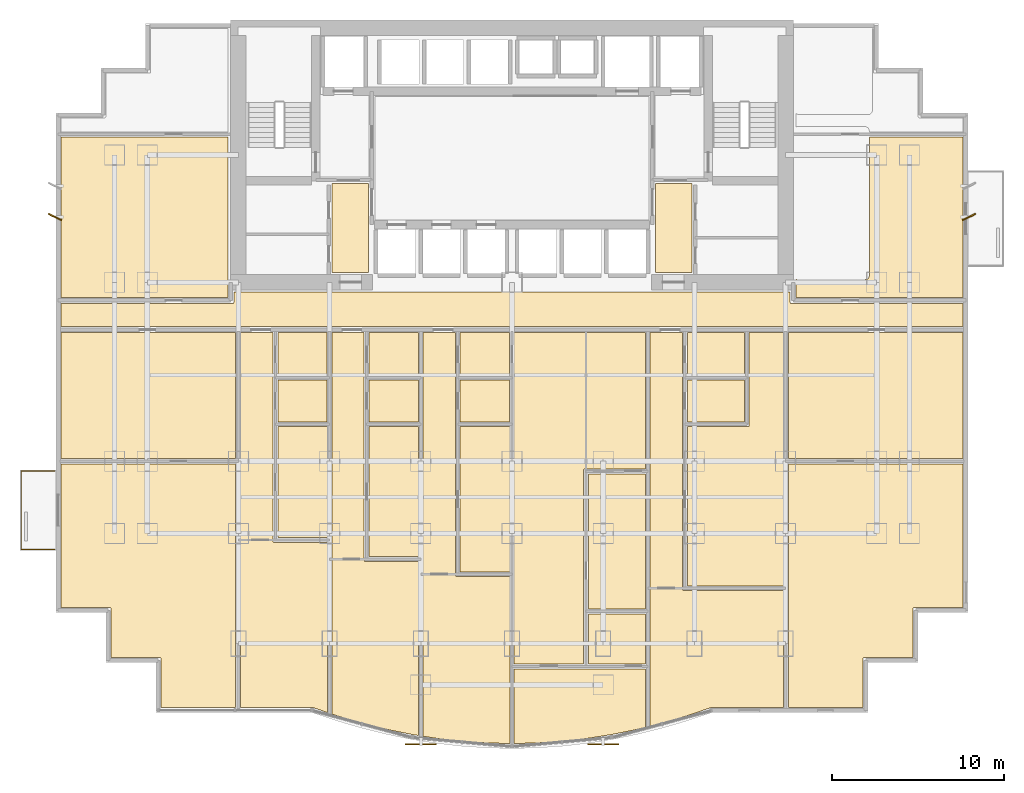
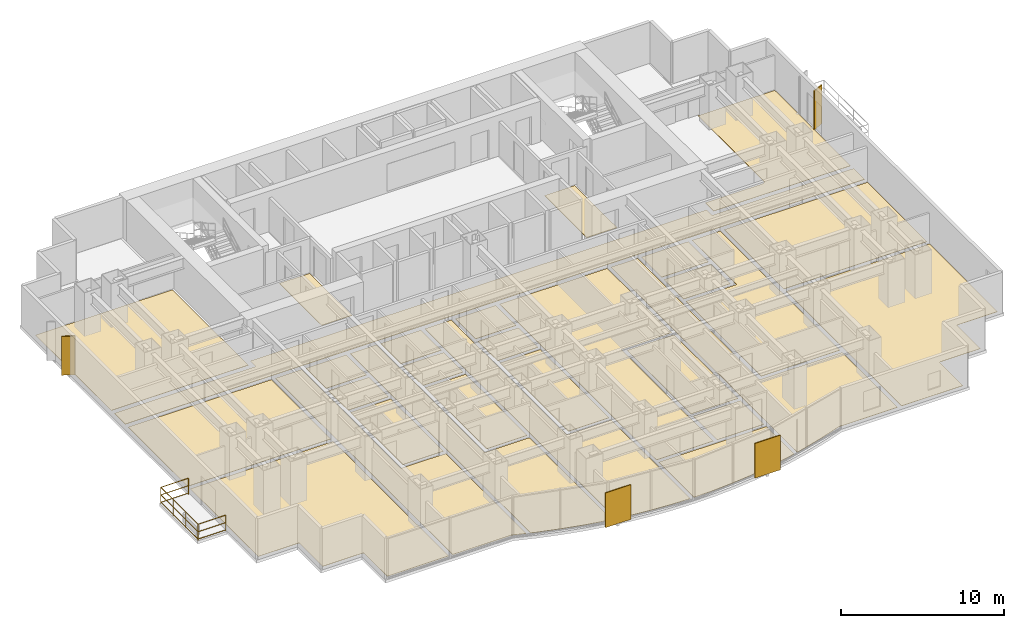
# One storey, part 9 of 10: 29 coverings, 4 shading devices, 1 railing.
"""IFC4 building model written with IfcOpenShell, lengths in metres."""

from ifc_helpers import new_model, si_unit, direction, frame, origin, origin_2d, place, context, subcontext, project, spatial, polyline, rectangle, circle, outline, extrude, source, transform, mapped, material, layer, layer_set, type_object, element, save


model = new_model("IFC4")

# Units and contexts
model_context = context("Model", 3, precision=1e-05, world=origin(), true_north=direction((0.0, 1.0)))
body_context = subcontext(model_context, "Body", "Model", "MODEL_VIEW")
ifc_project = project(units=[si_unit("LENGTHUNIT", "METRE"), si_unit("AREAUNIT", "SQUARE_METRE"), si_unit("VOLUMEUNIT", "CUBIC_METRE"), si_unit("PLANEANGLEUNIT", "RADIAN"), si_unit("MASSUNIT", "GRAM", prefix="KILO")], contexts=[model_context])

# Site, building, storey
site_placement = place(None, origin())
site = spatial("IfcSite", under=ifc_project, at=site_placement, CompositionType="ELEMENT")
building_placement = place(site_placement, origin())
building = spatial("IfcBuilding", under=site, at=building_placement, Name="Qianlan Lanfeng Residences", CompositionType="ELEMENT")
storey_placement = place(building_placement, frame((0.0, 0.0, 40.699951171875)))
storey = spatial("IfcBuildingStorey", under=building, at=storey_placement, Name="L10", CompositionType="ELEMENT", Elevation=40.699951171875)

# Coverings
ifc_material_1 = material(Name="Honed Taitung Granite Stone Flooring", Category="masonry")
ifc_layer_1 = layer(ifc_material_1, 0.030029296875)
ifc_layer_set_1 = layer_set([ifc_layer_1], Name="Honed Taitung Granite Stone Flooring")
covering_type_1 = type_object("IfcCoveringType", Name="FLR-STN-30", PredefinedType="FLOORING", material=ifc_layer_set_1)
covering_1_placement = place(storey_placement, origin())
element("IfcCovering", 1, at=covering_1_placement, inside=storey, type_object=covering_type_1, Name="L10 Residential Corridor Floor Finish", PredefinedType="FLOORING", context=body_context, shape_type="SweptSolid", body=[
    extrude(outline(polyline([(0.2900390625, 22.6298828125), (52.7099609375, 22.6298828125), (52.7099609375, 23.969970703125), (42.739990234375, 23.969970703125), (42.73291015625, 23.969970703125), (42.72607421875, 23.970947265625), (42.719970703125, 23.972900390625), (42.712890625, 23.97509765625), (42.70703125, 23.97802734375), (42.700927734375, 23.98193359375), (42.696044921875, 23.986083984375), (42.69091796875, 23.990966796875), (42.68603515625, 23.99609375), (42.681884765625, 24.0009765625), (42.677978515625, 24.007080078125), (42.675048828125, 24.012939453125), (42.673095703125, 24.02001953125), (42.6708984375, 24.02587890625), (42.669921875, 24.032958984375), (42.669921875, 24.0400390625), (42.669921875, 24.64990234375), (10.330078125, 24.64990234375), (10.330078125, 24.0400390625), (10.330078125, 24.032958984375), (10.3291015625, 24.02587890625), (10.326904296875, 24.02001953125), (10.324951171875, 24.012939453125), (10.322021484375, 24.007080078125), (10.318115234375, 24.0009765625), (10.31396484375, 23.99609375), (10.30908203125, 23.990966796875), (10.303955078125, 23.986083984375), (10.299072265625, 23.98193359375), (10.29296875, 23.97802734375), (10.287109375, 23.97509765625), (10.280029296875, 23.972900390625), (10.27392578125, 23.970947265625), (10.26708984375, 23.969970703125), (10.260009765625, 23.969970703125), (0.2900390625, 23.969970703125), (0.2900390625, 22.6298828125)])), origin(), (0.0, 0.0, 1.0), 0.030029296875),
])
covering_2_placement = place(storey_placement, origin())
element("IfcCovering", 2, at=covering_2_placement, inside=storey, type_object=covering_type_1, Name="L10 Lift Lobby Floor Finish", PredefinedType="FLOORING", context=body_context, shape_type="SweptSolid", body=[
    extrude(outline(polyline([(16.030029296875, 25.760009765625), (18.169921875, 25.760009765625), (18.169921875, 30.949951171875), (16.030029296875, 30.949951171875), (16.030029296875, 25.760009765625)])), origin(), (0.0, 0.0, 1.0), 0.030029296875),
])
covering_3_placement = place(storey_placement, origin())
element("IfcCovering", 3, at=covering_3_placement, inside=storey, type_object=covering_type_1, Name="L10 Lift Lobby Floor Finish", PredefinedType="FLOORING", context=body_context, shape_type="SweptSolid", body=[
    extrude(outline(polyline([(34.830078125, 25.760009765625), (36.969970703125, 25.760009765625), (36.969970703125, 30.949951171875), (34.830078125, 30.949951171875), (34.830078125, 25.760009765625)])), origin(), (0.0, 0.0, 1.0), 0.030029296875),
])
ifc_material_2 = material(Name="Slip-Resistant Porcelain Tile Flooring")
ifc_layer_2 = layer(ifc_material_2, 0.02001953125)
ifc_layer_set_2 = layer_set([ifc_layer_2], Name="Slip-Resistant Porcelain Tile Flooring")
covering_type_2 = type_object("IfcCoveringType", Name="FLR-TIL-20", PredefinedType="FLOORING", material=ifc_layer_set_2)
covering_4_placement = place(storey_placement, origin())
element("IfcCovering", 4, at=covering_4_placement, inside=storey, type_object=covering_type_2, Name="L10 Kitchen Floor Finish", PredefinedType="FLOORING", context=body_context, shape_type="SweptSolid", body=[
    extrude(outline(polyline([(12.889892578125, 17.090087890625), (15.760009765625, 17.090087890625), (15.760009765625, 19.510009765625), (12.889892578125, 19.510009765625), (12.889892578125, 17.090087890625)])), origin(), (0.0, 0.0, 1.0), 0.02001953125),
])
covering_5_placement = place(storey_placement, origin())
element("IfcCovering", 5, at=covering_5_placement, inside=storey, type_object=covering_type_2, Name="L10 Bathroom Floor Finish", PredefinedType="FLOORING", context=body_context, shape_type="SweptSolid", body=[
    extrude(outline(polyline([(12.889892578125, 19.7900390625), (15.760009765625, 19.7900390625), (15.760009765625, 22.280029296875), (12.889892578125, 22.280029296875), (12.889892578125, 19.7900390625)])), origin(), (0.0, 0.0, 1.0), 0.02001953125),
])
covering_6_placement = place(storey_placement, origin())
element("IfcCovering", 6, at=covering_6_placement, inside=storey, type_object=covering_type_2, Name="L10 Kitchen Floor Finish", PredefinedType="FLOORING", context=body_context, shape_type="SweptSolid", body=[
    extrude(outline(polyline([(18.18994140625, 17.090087890625), (21.06005859375, 17.090087890625), (21.06005859375, 19.510009765625), (18.18994140625, 19.510009765625), (18.18994140625, 17.090087890625)])), origin(), (0.0, 0.0, 1.0), 0.02001953125),
])
covering_7_placement = place(storey_placement, origin())
element("IfcCovering", 7, at=covering_7_placement, inside=storey, type_object=covering_type_2, Name="L10 Bathroom Floor Finish", PredefinedType="FLOORING", context=body_context, shape_type="SweptSolid", body=[
    extrude(outline(polyline([(18.18994140625, 19.7900390625), (21.06005859375, 19.7900390625), (21.06005859375, 22.280029296875), (18.18994140625, 22.280029296875), (18.18994140625, 19.7900390625)])), origin(), (0.0, 0.0, 1.0), 0.02001953125),
])
covering_8_placement = place(storey_placement, origin())
element("IfcCovering", 8, at=covering_8_placement, inside=storey, type_object=covering_type_2, Name="L10 Kitchen Floor Finish", PredefinedType="FLOORING", context=body_context, shape_type="SweptSolid", body=[
    extrude(outline(polyline([(23.489990234375, 17.090087890625), (26.360107421875, 17.090087890625), (26.360107421875, 19.510009765625), (23.489990234375, 19.510009765625), (23.489990234375, 17.090087890625)])), origin(), (0.0, 0.0, 1.0), 0.02001953125),
])
covering_9_placement = place(storey_placement, origin())
element("IfcCovering", 9, at=covering_9_placement, inside=storey, type_object=covering_type_2, Name="L10 Bathroom Floor Finish", PredefinedType="FLOORING", context=body_context, shape_type="SweptSolid", body=[
    extrude(outline(polyline([(23.489990234375, 19.7900390625), (26.360107421875, 19.7900390625), (26.360107421875, 22.280029296875), (23.489990234375, 22.280029296875), (23.489990234375, 19.7900390625)])), origin(), (0.0, 0.0, 1.0), 0.02001953125),
])
covering_10_placement = place(storey_placement, origin())
element("IfcCovering", 10, at=covering_10_placement, inside=storey, type_object=covering_type_2, Name="L10 En-Suite Bathroom Floor Finish", PredefinedType="FLOORING", context=body_context, shape_type="SweptSolid", body=[
    extrude(outline(polyline([(30.93994140625, 3.012939453125), (34.27001953125, 3.012939453125), (34.27001953125, 5.93310546875), (30.93994140625, 5.93310546875), (30.93994140625, 3.012939453125)])), origin(), (0.0, 0.0, 1.0), 0.02001953125),
])
covering_11_placement = place(storey_placement, origin())
element("IfcCovering", 11, at=covering_11_placement, inside=storey, type_object=covering_type_2, Name="L10 Kitchen Floor Finish", PredefinedType="FLOORING", context=body_context, shape_type="SweptSolid", body=[
    extrude(outline(polyline([(36.68994140625, 17.090087890625), (40.010009765625, 17.090087890625), (40.010009765625, 19.510009765625), (36.68994140625, 19.510009765625), (36.68994140625, 17.090087890625)])), origin(), (0.0, 0.0, 1.0), 0.02001953125),
])
covering_12_placement = place(storey_placement, origin())
element("IfcCovering", 12, at=covering_12_placement, inside=storey, type_object=covering_type_2, Name="L10 Bathroom Floor Finish", PredefinedType="FLOORING", context=body_context, shape_type="SweptSolid", body=[
    extrude(outline(polyline([(36.68994140625, 19.7900390625), (40.010009765625, 19.7900390625), (40.010009765625, 22.280029296875), (36.68994140625, 22.280029296875), (36.68994140625, 19.7900390625)])), origin(), (0.0, 0.0, 1.0), 0.02001953125),
])
ifc_material_3 = material(Name="Engineered Smoked Oak Timber Flooring", Category="wood")
ifc_layer_3 = layer(ifc_material_3, 0.02197265625)
ifc_layer_set_3 = layer_set([ifc_layer_3], Name="Engineered Smoked Oak Timber Flooring")
covering_type_3 = type_object("IfcCoveringType", Name="FLR-TIM-22", PredefinedType="FLOORING", material=ifc_layer_set_3)
covering_13_placement = place(storey_placement, origin())
element("IfcCovering", 13, at=covering_13_placement, inside=storey, type_object=covering_type_3, Name="L10 Studio Living Room Floor Finish", PredefinedType="FLOORING", context=body_context, shape_type="SweptSolid", body=[
    extrude(outline(polyline([(15.77001953125, 0.195068359375), (15.77001953125, 10.080078125), (12.679931640625, 10.080078125), (12.673095703125, 10.080078125), (12.666015625, 10.0810546875), (12.659912109375, 10.0830078125), (12.653076171875, 10.0849609375), (12.64697265625, 10.087890625), (12.64111328125, 10.092041015625), (12.635986328125, 10.095947265625), (12.631103515625, 10.10107421875), (12.6259765625, 10.10595703125), (12.6220703125, 10.111083984375), (12.617919921875, 10.116943359375), (12.614990234375, 10.123046875), (12.613037109375, 10.1298828125), (12.611083984375, 10.135986328125), (12.610107421875, 10.14306640625), (12.610107421875, 10.14990234375), (12.610107421875, 22.280029296875), (10.72998046875, 22.280029296875), (10.72998046875, 0.489990234375), (14.885986328125, 0.489990234375), (14.89404296875, 0.489990234375), (14.90087890625, 0.488037109375), (14.908935546875, 0.486083984375), (15.77001953125, 0.195068359375)])), origin(), (0.0, 0.0, 1.0), 0.02197265625),
])
covering_14_placement = place(storey_placement, origin())
element("IfcCovering", 14, at=covering_14_placement, inside=storey, type_object=covering_type_3, Name="L10 Villa Family Sitting Room Floor Finish", PredefinedType="FLOORING", context=body_context, shape_type="SweptSolid", body=[
    extrude(outline(polyline([(12.889892578125, 16.81005859375), (12.889892578125, 10.360107421875), (15.77001953125, 10.360107421875), (15.77001953125, 16.81005859375), (12.889892578125, 16.81005859375)])), origin(), (0.0, 0.0, 1.0), 0.02197265625),
])
covering_15_placement = place(storey_placement, origin())
element("IfcCovering", 15, at=covering_15_placement, inside=storey, type_object=covering_type_3, Name="L10 Studio Living Room Floor Finish", PredefinedType="FLOORING", context=body_context, shape_type="SweptSolid", body=[
    extrude(outline(polyline([(21.070068359375, -1.14404296875), (21.070068359375, 8.971923828125), (17.97998046875, 8.971923828125), (17.972900390625, 8.971923828125), (17.966064453125, 8.972900390625), (17.9599609375, 8.97509765625), (17.952880859375, 8.97705078125), (17.947021484375, 8.97998046875), (17.94091796875, 8.98388671875), (17.93603515625, 8.988037109375), (17.930908203125, 8.992919921875), (17.926025390625, 8.998046875), (17.922119140625, 9.0029296875), (17.91796875, 9.009033203125), (17.9150390625, 9.014892578125), (17.9130859375, 9.02197265625), (17.910888671875, 9.028076171875), (17.909912109375, 9.034912109375), (17.909912109375, 9.0419921875), (17.909912109375, 22.280029296875), (16.030029296875, 22.280029296875), (16.030029296875, 0.10693359375), (16.39306640625, -0.014892578125), (17.837890625, -0.43896484375), (19.282958984375, -0.797119140625), (20.72607421875, -1.090087890625), (21.070068359375, -1.14404296875)])), origin(), (0.0, 0.0, 1.0), 0.02197265625),
])
covering_16_placement = place(storey_placement, origin())
element("IfcCovering", 16, at=covering_16_placement, inside=storey, type_object=covering_type_3, Name="L10 Villa Family Sitting Room Floor Finish", PredefinedType="FLOORING", context=body_context, shape_type="SweptSolid", body=[
    extrude(outline(polyline([(18.18994140625, 16.81005859375), (18.18994140625, 9.251953125), (21.070068359375, 9.251953125), (21.070068359375, 16.81005859375), (18.18994140625, 16.81005859375)])), origin(), (0.0, 0.0, 1.0), 0.02197265625),
])
covering_17_placement = place(storey_placement, origin())
element("IfcCovering", 17, at=covering_17_placement, inside=storey, type_object=covering_type_3, Name="L10 Living and Dining Room Floor Finish", PredefinedType="FLOORING", context=body_context, shape_type="SweptSolid", body=[
    extrude(outline(polyline([(26.3701171875, -1.60693359375), (26.3701171875, 8.093994140625), (23.280029296875, 8.093994140625), (23.27294921875, 8.093994140625), (23.26611328125, 8.094970703125), (23.260009765625, 8.096923828125), (23.2529296875, 8.09912109375), (23.2470703125, 8.10205078125), (23.240966796875, 8.10595703125), (23.236083984375, 8.110107421875), (23.23095703125, 8.114990234375), (23.22607421875, 8.1201171875), (23.221923828125, 8.125), (23.218017578125, 8.131103515625), (23.215087890625, 8.136962890625), (23.212890625, 8.14404296875), (23.2109375, 8.14990234375), (23.2099609375, 8.156982421875), (23.2099609375, 8.1640625), (23.2099609375, 22.280029296875), (21.330078125, 22.280029296875), (21.330078125, -1.18505859375), (22.169921875, -1.318115234375), (23.613037109375, -1.47998046875), (25.056884765625, -1.576904296875), (26.3701171875, -1.60693359375)])), origin(), (0.0, 0.0, 1.0), 0.02197265625),
])
covering_18_placement = place(storey_placement, origin())
element("IfcCovering", 18, at=covering_18_placement, inside=storey, type_object=covering_type_3, Name="L10 Villa Family Sitting Room Floor Finish", PredefinedType="FLOORING", context=body_context, shape_type="SweptSolid", body=[
    extrude(outline(polyline([(23.489990234375, 16.81005859375), (23.489990234375, 8.3740234375), (26.3701171875, 8.3740234375), (26.3701171875, 16.81005859375), (23.489990234375, 16.81005859375)])), origin(), (0.0, 0.0, 1.0), 0.02197265625),
])
covering_19_placement = place(storey_placement, origin())
element("IfcCovering", 19, at=covering_19_placement, inside=storey, type_object=covering_type_3, Name="L10 Private Study Floor Finish", PredefinedType="FLOORING", context=body_context, shape_type="SweptSolid", body=[
    extrude(outline(polyline([(30.93994140625, 6.212890625), (34.27001953125, 6.212890625), (34.27001953125, 14.072021484375), (30.93994140625, 14.072021484375), (30.93994140625, 6.212890625)])), origin(), (0.0, 0.0, 1.0), 0.02197265625),
])
covering_20_placement = place(storey_placement, origin())
element("IfcCovering", 20, at=covering_20_placement, inside=storey, type_object=covering_type_3, Name="L10 Villa Family Sitting Room Floor Finish", PredefinedType="FLOORING", context=body_context, shape_type="SweptSolid", body=[
    extrude(outline(polyline([(26.6298828125, 3.012939453125), (30.659912109375, 3.012939453125), (30.659912109375, 14.281982421875), (30.659912109375, 14.2890625), (30.660888671875, 14.2958984375), (30.6630859375, 14.302001953125), (30.6650390625, 14.30908203125), (30.66796875, 14.31494140625), (30.672119140625, 14.321044921875), (30.676025390625, 14.325927734375), (30.680908203125, 14.3310546875), (30.68603515625, 14.3359375), (30.69091796875, 14.340087890625), (30.697021484375, 14.343994140625), (30.702880859375, 14.346923828125), (30.7099609375, 14.34912109375), (30.716064453125, 14.35107421875), (30.722900390625, 14.35205078125), (30.72998046875, 14.35205078125), (34.27001953125, 14.35205078125), (34.27001953125, 22.280029296875), (26.6298828125, 22.280029296875), (26.6298828125, 3.012939453125)])), origin(), (0.0, 0.0, 1.0), 0.02197265625),
])
covering_21_placement = place(storey_placement, origin())
element("IfcCovering", 21, at=covering_21_placement, inside=storey, type_object=covering_type_3, Name="L10 Master Bedroom Floor Finish", PredefinedType="FLOORING", context=body_context, shape_type="SweptSolid", body=[
    extrude(outline(polyline([(26.6298828125, 2.73291015625), (26.6298828125, -1.60693359375), (27.943115234375, -1.576904296875), (29.385986328125, -1.47998046875), (30.830078125, -1.318115234375), (32.27392578125, -1.090087890625), (33.717041015625, -0.797119140625), (34.27001953125, -0.659912109375), (34.27001953125, 2.73291015625), (26.6298828125, 2.73291015625)])), origin(), (0.0, 0.0, 1.0), 0.02197265625),
])
covering_22_placement = place(storey_placement, origin())
element("IfcCovering", 22, at=covering_22_placement, inside=storey, type_object=covering_type_3, Name="L10 Studio Living Room Floor Finish", PredefinedType="FLOORING", context=body_context, shape_type="SweptSolid", body=[
    extrude(outline(polyline([(42.27001953125, 0.489990234375), (42.27001953125, 7.280029296875), (36.47998046875, 7.280029296875), (36.472900390625, 7.280029296875), (36.466064453125, 7.281005859375), (36.4599609375, 7.282958984375), (36.452880859375, 7.284912109375), (36.447021484375, 7.2880859375), (36.44091796875, 7.2919921875), (36.43603515625, 7.2958984375), (36.430908203125, 7.301025390625), (36.426025390625, 7.305908203125), (36.422119140625, 7.31103515625), (36.41796875, 7.31689453125), (36.4150390625, 7.322998046875), (36.4130859375, 7.330078125), (36.410888671875, 7.3359375), (36.409912109375, 7.343017578125), (36.409912109375, 7.35009765625), (36.409912109375, 22.280029296875), (34.530029296875, 22.280029296875), (34.530029296875, -0.595947265625), (35.160888671875, -0.43896484375), (36.60693359375, -0.014892578125), (38.091064453125, 0.486083984375), (38.09912109375, 0.488037109375), (38.10595703125, 0.489990234375), (38.114013671875, 0.489990234375), (42.27001953125, 0.489990234375)])), origin(), (0.0, 0.0, 1.0), 0.02197265625),
])
covering_23_placement = place(storey_placement, origin())
element("IfcCovering", 23, at=covering_23_placement, inside=storey, type_object=covering_type_3, Name="L10 Villa Family Sitting Room Floor Finish", PredefinedType="FLOORING", context=body_context, shape_type="SweptSolid", body=[
    extrude(outline(polyline([(36.68994140625, 7.56005859375), (42.27001953125, 7.56005859375), (42.27001953125, 22.280029296875), (40.2900390625, 22.280029296875), (40.2900390625, 16.8798828125), (40.2900390625, 16.873046875), (40.2890625, 16.865966796875), (40.287109375, 16.860107421875), (40.284912109375, 16.85302734375), (40.281982421875, 16.846923828125), (40.278076171875, 16.841064453125), (40.27392578125, 16.8359375), (40.26904296875, 16.8310546875), (40.263916015625, 16.825927734375), (40.259033203125, 16.822021484375), (40.2529296875, 16.818115234375), (40.2470703125, 16.81494140625), (40.239990234375, 16.81298828125), (40.23388671875, 16.81103515625), (40.22705078125, 16.81005859375), (40.219970703125, 16.81005859375), (36.68994140625, 16.81005859375), (36.68994140625, 7.56005859375)])), origin(), (0.0, 0.0, 1.0), 0.02197265625),
])
covering_24_placement = place(storey_placement, origin())
element("IfcCovering", 24, at=covering_24_placement, inside=storey, type_object=covering_type_3, Name="L10 Sunroom Floor Finish", PredefinedType="FLOORING", context=body_context, shape_type="SweptSolid", body=[
    extrude(outline(polyline([(10.43994140625, 14.64990234375), (0.2900390625, 14.64990234375), (0.2900390625, 6.2900390625), (3.1201171875, 6.2900390625), (3.126953125, 6.2900390625), (3.134033203125, 6.2890625), (3.139892578125, 6.287109375), (3.14697265625, 6.284912109375), (3.153076171875, 6.281982421875), (3.158935546875, 6.278076171875), (3.1640625, 6.27392578125), (3.1689453125, 6.26904296875), (3.174072265625, 6.263916015625), (3.177978515625, 6.259033203125), (3.181884765625, 6.2529296875), (3.18505859375, 6.2470703125), (3.18701171875, 6.239990234375), (3.18896484375, 6.23388671875), (3.18994140625, 6.22705078125), (3.18994140625, 6.219970703125), (3.18994140625, 3.389892578125), (6.02001953125, 3.389892578125), (6.027099609375, 3.389892578125), (6.033935546875, 3.388916015625), (6.0400390625, 3.386962890625), (6.047119140625, 3.385009765625), (6.052978515625, 3.382080078125), (6.05908203125, 3.3779296875), (6.06396484375, 3.3740234375), (6.069091796875, 3.368896484375), (6.073974609375, 3.364013671875), (6.077880859375, 3.35888671875), (6.08203125, 3.35302734375), (6.0849609375, 3.346923828125), (6.0869140625, 3.340087890625), (6.089111328125, 3.333984375), (6.090087890625, 3.326904296875), (6.090087890625, 3.320068359375), (6.090087890625, 0.489990234375), (10.43994140625, 0.489990234375), (10.43994140625, 14.64990234375)])), origin(), (0.0, 0.0, 1.0), 0.02197265625),
])
covering_25_placement = place(storey_placement, origin())
element("IfcCovering", 25, at=covering_25_placement, inside=storey, type_object=covering_type_3, Name="L10 Family Sitting Room Floor Finish", PredefinedType="FLOORING", context=body_context, shape_type="SweptSolid", body=[
    extrude(outline(polyline([(10.43994140625, 22.280029296875), (0.2900390625, 22.280029296875), (0.2900390625, 14.949951171875), (10.43994140625, 14.949951171875), (10.43994140625, 22.280029296875)])), origin(), (0.0, 0.0, 1.0), 0.02197265625),
])
covering_26_placement = place(storey_placement, origin())
element("IfcCovering", 26, at=covering_26_placement, inside=storey, type_object=covering_type_3, Name="L10 Sunroom Floor Finish", PredefinedType="FLOORING", context=body_context, shape_type="SweptSolid", body=[
    extrude(outline(polyline([(52.7099609375, 14.64990234375), (42.56005859375, 14.64990234375), (42.56005859375, 0.489990234375), (46.909912109375, 0.489990234375), (46.909912109375, 3.320068359375), (46.909912109375, 3.326904296875), (46.910888671875, 3.333984375), (46.9130859375, 3.340087890625), (46.9150390625, 3.346923828125), (46.91796875, 3.35302734375), (46.922119140625, 3.35888671875), (46.926025390625, 3.364013671875), (46.930908203125, 3.368896484375), (46.93603515625, 3.3740234375), (46.94091796875, 3.3779296875), (46.947021484375, 3.382080078125), (46.952880859375, 3.385009765625), (46.9599609375, 3.386962890625), (46.966064453125, 3.388916015625), (46.972900390625, 3.389892578125), (46.97998046875, 3.389892578125), (49.81005859375, 3.389892578125), (49.81005859375, 6.219970703125), (49.81005859375, 6.22705078125), (49.81103515625, 6.23388671875), (49.81298828125, 6.239990234375), (49.81494140625, 6.2470703125), (49.818115234375, 6.2529296875), (49.822021484375, 6.259033203125), (49.825927734375, 6.263916015625), (49.8310546875, 6.26904296875), (49.8359375, 6.27392578125), (49.841064453125, 6.278076171875), (49.846923828125, 6.281982421875), (49.85302734375, 6.284912109375), (49.860107421875, 6.287109375), (49.865966796875, 6.2890625), (49.873046875, 6.2900390625), (49.8798828125, 6.2900390625), (52.7099609375, 6.2900390625), (52.7099609375, 14.64990234375)])), origin(), (0.0, 0.0, 1.0), 0.02197265625),
])
covering_27_placement = place(storey_placement, origin())
element("IfcCovering", 27, at=covering_27_placement, inside=storey, type_object=covering_type_3, Name="L10 Private Study Floor Finish", PredefinedType="FLOORING", context=body_context, shape_type="SweptSolid", body=[
    extrude(outline(polyline([(52.7099609375, 22.280029296875), (42.56005859375, 22.280029296875), (42.56005859375, 14.949951171875), (52.7099609375, 14.949951171875), (52.7099609375, 22.280029296875)])), origin(), (0.0, 0.0, 1.0), 0.02197265625),
])
covering_28_placement = place(storey_placement, origin())
element("IfcCovering", 28, at=covering_28_placement, inside=storey, type_object=covering_type_3, Name="L10 Conservatory Salon Floor Finish", PredefinedType="FLOORING", context=body_context, shape_type="SweptSolid", body=[
    extrude(outline(polyline([(10.0, 33.64990234375), (0.2900390625, 33.64990234375), (0.2900390625, 24.330078125), (10.0, 24.330078125), (10.0, 33.64990234375)])), origin(), (0.0, 0.0, 1.0), 0.02197265625),
])
covering_29_placement = place(storey_placement, origin())
element("IfcCovering", 29, at=covering_29_placement, inside=storey, type_object=covering_type_3, Name="L10 Conservatory Salon Floor Finish", PredefinedType="FLOORING", context=body_context, shape_type="SweptSolid", body=[
    extrude(outline(polyline([(52.7099609375, 33.64990234375), (47.27001953125, 33.64990234375), (47.27001953125, 25.60009765625), (47.26904296875, 25.574951171875), (47.264892578125, 25.551025390625), (47.259033203125, 25.527099609375), (47.2509765625, 25.50390625), (47.239990234375, 25.48193359375), (47.22802734375, 25.4609375), (47.212890625, 25.44091796875), (47.197021484375, 25.423095703125), (47.178955078125, 25.406982421875), (47.158935546875, 25.39208984375), (47.137939453125, 25.3798828125), (47.115966796875, 25.368896484375), (47.093017578125, 25.361083984375), (47.069091796875, 25.35498046875), (47.044921875, 25.35107421875), (47.02001953125, 25.35009765625), (43.080078125, 25.35009765625), (43.054931640625, 25.35107421875), (43.031005859375, 25.35498046875), (43.007080078125, 25.361083984375), (43.0, 25.363037109375), (43.0, 24.330078125), (52.7099609375, 24.330078125), (52.7099609375, 33.64990234375)])), origin(), (0.0, 0.0, 1.0), 0.02197265625),
])

# Railing
ifc_material_4 = material(Name="Anodised Bronze Aluminium and Laminated Glass Guard Balustrade", Category="aluminium")
railing_type = type_object("IfcRailingType", Name="GR-EXT-1220", PredefinedType="BALUSTRADE", material=ifc_material_4)
railing_placement = place(storey_placement, frame((-0.070068359375, 9.669921875, 0.0)))
element("IfcRailing", 30, at=railing_placement, inside=storey, type_object=railing_type, Name="L10 Terrace Safety Guard GR-L10-WB-S", PredefinedType="BALUSTRADE", context=body_context, shape_type="SweptSolid", body=[
    extrude(circle(Radius=0.02490234375, at=origin_2d()), frame((0.0, 0.0, 0.0849609375), z_axis=(-1.0, 0.0, 0.0), x_axis=(0.0, -1.0, 0.0)), (0.0, 0.0, 1.0), 1.9599609375),
    extrude(circle(Radius=0.02490234375, at=origin_2d()), frame((0.0, 0.0, 0.63427734375), z_axis=(-1.0, 0.0, 0.0), x_axis=(0.0, -1.0, 0.0)), (0.0, 0.0, 1.0), 1.9599609375),
    extrude(circle(Radius=0.02490234375, at=origin_2d()), frame((0.0, 0.0, 1.19482421875), z_axis=(-1.0, 0.0, 0.0), x_axis=(0.0, -1.0, 0.0)), (0.0, 0.0, 1.0), 1.9599609375),
    extrude(circle(Radius=0.02490234375, at=origin_2d()), frame((-1.9599609375, 0.0, 0.0849609375), z_axis=(0.0, 1.0, 0.0), x_axis=(-1.0, 0.0, 0.0)), (0.0, 0.0, 1.0), 4.56005859375),
    extrude(circle(Radius=0.02490234375, at=origin_2d()), frame((-1.9599609375, 0.0, 0.63427734375), z_axis=(0.0, 1.0, 0.0), x_axis=(-1.0, 0.0, 0.0)), (0.0, 0.0, 1.0), 4.56005859375),
    extrude(circle(Radius=0.02490234375, at=origin_2d()), frame((-1.9599609375, 0.0, 1.19482421875), z_axis=(0.0, 1.0, 0.0), x_axis=(-1.0, 0.0, 0.0)), (0.0, 0.0, 1.0), 4.56005859375),
    extrude(circle(Radius=0.02490234375, at=origin_2d()), frame((-1.9599609375, 4.56005859375, 0.0849609375), z_axis=(1.0, 0.0, 0.0), x_axis=(0.0, 1.0, 0.0)), (0.0, 0.0, 1.0), 1.9599609375),
    extrude(circle(Radius=0.02490234375, at=origin_2d()), frame((-1.9599609375, 4.56005859375, 0.63427734375), z_axis=(1.0, 0.0, 0.0), x_axis=(0.0, 1.0, 0.0)), (0.0, 0.0, 1.0), 1.9599609375),
    extrude(circle(Radius=0.02490234375, at=origin_2d()), frame((-1.9599609375, 4.56005859375, 1.19482421875), z_axis=(1.0, 0.0, 0.0), x_axis=(0.0, 1.0, 0.0)), (0.0, 0.0, 1.0), 1.9599609375),
    extrude(circle(Radius=0.02099609375, at=origin_2d()), origin(), (0.0, 0.0, 1.0), 1.169921875),
    extrude(circle(Radius=0.02099609375, at=origin_2d()), frame((-1.9599609375, 0.0, 0.0)), (0.0, 0.0, 1.0), 1.169921875),
    extrude(circle(Radius=0.02099609375, at=origin_2d()), frame((-1.9599609375, 1.52001953125, 0.0)), (0.0, 0.0, 1.0), 1.169921875),
    extrude(circle(Radius=0.02099609375, at=origin_2d()), frame((-1.9599609375, 3.0400390625, 0.0)), (0.0, 0.0, 1.0), 1.169921875),
    extrude(circle(Radius=0.02099609375, at=origin_2d()), frame((-1.9599609375, 4.56005859375, 0.0)), (0.0, 0.0, 1.0), 1.169921875),
    extrude(circle(Radius=0.02099609375, at=origin_2d()), frame((0.0, 4.56005859375, 0.0)), (0.0, 0.0, 1.0), 1.169921875),
])

# Shading devices
ifc_material_5 = material(Name="Perforated Bronze Aluminium Solar Screen", Category="aluminium")
shading_device_type_1 = type_object("IfcShadingDeviceType", Name="SCR-BRZ-1800", PredefinedType="JALOUSIE", material=ifc_material_5)
shared_shape_1 = source(origin(), body_context, "Body", "SweptSolid", [
    extrude(rectangle(XDim=1.800048828125, YDim=0.06005859375, at=origin_2d()), origin(), (0.0, 0.0, 1.0), 2.60009765625),
])
for number, where, z_axis, x_axis, name in (
    (31, (21.199951171875, -1.659912109375, 0.0), (0.0, 0.0, 1.0), (1.0, 0.0, 0.0), "L10 Perforated Bronze Solar Screen 1"),
    (32, (31.800048828125, -1.659912109375, 0.0), (0.0, 0.0, 1.0), (1.0, 0.0, 0.0), "L10 Perforated Bronze Solar Screen 2"),
):
    element("IfcShadingDevice", number, at=place(storey_placement, frame(where, z_axis=z_axis, x_axis=x_axis)), inside=storey, type_object=shading_device_type_1, Name=name, PredefinedType="JALOUSIE", context=body_context, shape_type="MappedRepresentation", body=[
        mapped(shared_shape_1, transform((0.0, 0.0, 0.0), scale=1.0)),
    ])
ifc_material_6 = material(Name="Anodised Bronze Aluminium Solar Fin", Category="aluminium")
shading_device_type_2 = type_object("IfcShadingDeviceType", Name="FIN-BRZ-850", PredefinedType="SHUTTER", material=ifc_material_6)
shared_shape_2 = source(origin(), body_context, "Body", "SweptSolid", [
    extrude(rectangle(XDim=0.85009765625, YDim=0.080078125, at=origin_2d()), origin(), (0.0, 0.0, 1.0), 2.89990234375),
])
for number, where, z_axis, x_axis, name in (
    (33, (-0.070068359375, 29.0, 0.0), (0.0, 0.0, 1.0), (0.898794046299, -0.438371146789, 0.0), "L10 Raked Bronze Solar Fin W1"),
    (34, (53.070068359375, 29.0, 0.0), (0.0, 0.0, 1.0), (0.898794046299, 0.438371146789, 0.0), "L10 Raked Bronze Solar Fin E1"),
):
    element("IfcShadingDevice", number, at=place(storey_placement, frame(where, z_axis=z_axis, x_axis=x_axis)), inside=storey, type_object=shading_device_type_2, Name=name, PredefinedType="SHUTTER", context=body_context, shape_type="MappedRepresentation", body=[
        mapped(shared_shape_2, transform((0.0, 0.0, 0.0), scale=1.0)),
    ])

save(model, "model.ifc")
